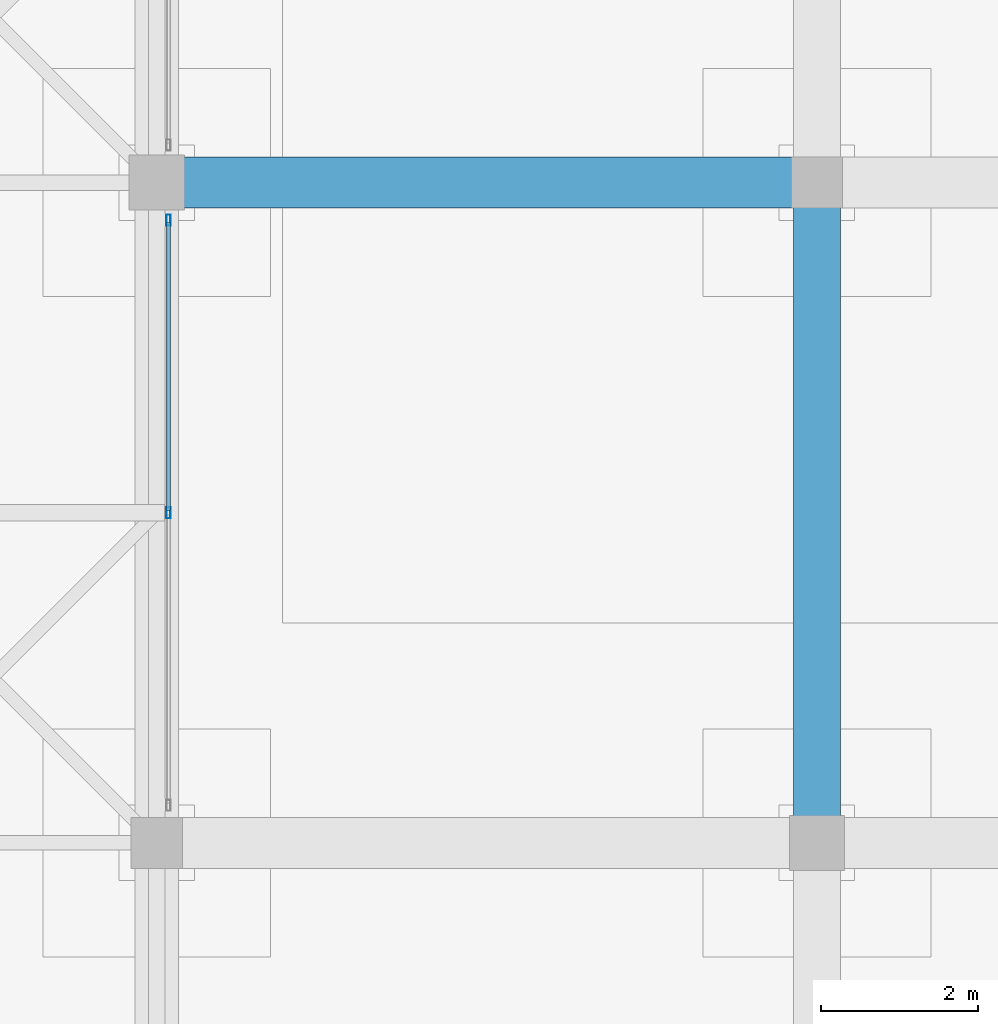
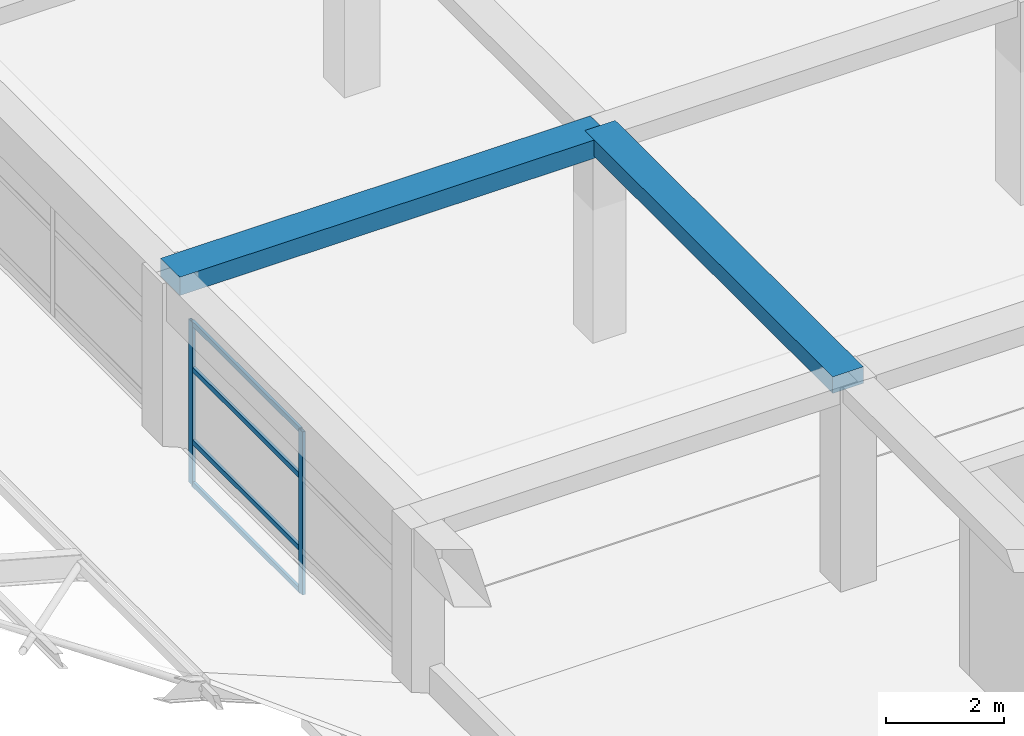
# One storey, part 31 of 85: 6 members, 2 beams, 1 element without a shape of its own.
"""IFC4 building model written with IfcOpenShell, lengths in metres."""

from ifc_helpers import new_model, si_unit, direction, frame, origin, origin_2d, place, context, subcontext, project, spatial, rectangle, hollow_rectangle, extrude, material, material_profile, profile_set, type_object, element, aggregate, save


model = new_model("IFC4")

# Units and contexts
model_context = context("Model", 3, precision=1e-05, world=origin(), true_north=direction((0.0, 1.0)))
body_context = subcontext(model_context, "Body", "Model", "MODEL_VIEW")
ifc_project = project(units=[si_unit("LENGTHUNIT", "METRE"), si_unit("AREAUNIT", "SQUARE_METRE"), si_unit("VOLUMEUNIT", "CUBIC_METRE"), si_unit("PLANEANGLEUNIT", "RADIAN"), si_unit("MASSUNIT", "GRAM", prefix="KILO")], contexts=[model_context])

# Site, building, storey
site_placement = place(None, origin())
site = spatial("IfcSite", under=ifc_project, at=site_placement, CompositionType="ELEMENT")
building_placement = place(site_placement, origin())
building = spatial("IfcBuilding", under=site, at=building_placement, Name="Almacenes y Pasaje Nevantli", CompositionType="ELEMENT")
storey_placement = place(building_placement, frame((0.0, 0.0, 22.199951171875)))
storey = spatial("IfcBuildingStorey", under=building, at=storey_placement, Name="L05", CompositionType="ELEMENT", Elevation=22.199951171875)

# Beams
ifc_material_1 = material(Name="Concrete C35/45", Category="concrete")
ifc_material_profile_1 = material_profile(ifc_material_1, rectangle(XDim=0.60009765625, YDim=0.340087890625, at=origin_2d()), Name="RC-BM-600x340")
ifc_profile_set_1 = profile_set([ifc_material_profile_1], Name="Concrete C35/45")
beam_type_1 = type_object("IfcBeamType", Name="BM-RC-600x340", PredefinedType="BEAM", material=ifc_profile_set_1)
beam_1_placement = place(storey_placement, frame((100.800048828125, 67.199951171875, 4.050048828125), z_axis=(0.0, 1.0, 0.0), x_axis=(-1.0, 0.0, 0.0)))
element("IfcBeam", 1, at=beam_1_placement, inside=storey, type_object=beam_type_1, Name="L05 North-South Reinforced Concrete Beam #3485", PredefinedType="BEAM", context=body_context, shape_type="SweptSolid", body=[
    extrude(rectangle(XDim=0.60009765625, YDim=0.340087890625, at=origin_2d()), origin(), (0.0, 0.0, 1.0), 8.400146484375),
])
ifc_material_2 = material(Name="Concrete C35/45", Category="concrete")
ifc_material_profile_2 = material_profile(ifc_material_2, rectangle(XDim=0.64990234375, YDim=0.3798828125, at=origin_2d()), Name="RC-BM-650x380")
ifc_profile_set_2 = profile_set([ifc_material_profile_2], Name="Concrete C35/45")
beam_type_2 = type_object("IfcBeamType", Name="BM-RC-650x380", PredefinedType="BEAM", material=ifc_profile_set_2)
beam_2_placement = place(storey_placement, frame((92.39990234375, 75.60009765625, 4.030029296875), z_axis=(1.0, 0.0, 0.0), x_axis=(0.0, 1.0, 0.0)))
element("IfcBeam", 2, at=beam_2_placement, inside=storey, type_object=beam_type_2, Name="L05 East-West Reinforced Concrete Beam #3328", PredefinedType="BEAM", context=body_context, shape_type="SweptSolid", body=[
    extrude(rectangle(XDim=0.64990234375, YDim=0.3798828125, at=origin_2d()), origin(), (0.0, 0.0, 1.0), 8.400146484375),
])

# Curtain wall, members
ifc_material_3 = material(Name="Thermally Broken Aluminium and Low-E Glass", Category="aluminium")
curtain_wall_type = type_object("IfcCurtainWallType", Name="CW-UNIT-PODIUM", PredefinedType="USERDEFINED", material=ifc_material_3)
curtain_wall_placement = place(storey_placement, origin())
curtain_wall = element("IfcCurtainWall", 3, at=curtain_wall_placement, inside=storey, type_object=curtain_wall_type, Name="L05 Sky-Lobby West Arcade View Curtain Wall Bay 9", ObjectType="UNITIZED CURTAIN WALL", PredefinedType="USERDEFINED")
ifc_material_4 = material(Name="Thermally Broken Anodized Aluminium", Category="aluminium")
ifc_material_profile_3 = material_profile(ifc_material_4, hollow_rectangle(XDim=0.054931640625, YDim=0.139892578125, WallThickness=0.00341796875, at=origin_2d()), Name="ALU-MUL-55x140")
ifc_profile_set_3 = profile_set([ifc_material_profile_3], Name="Thermally Broken Anodized Aluminium")
member_type_1 = type_object("IfcMemberType", Name="CW-MUL-160", PredefinedType="MULLION", material=ifc_profile_set_3)
member_1_placement = place(storey_placement, frame((92.550048828125, 71.39990234375, 0.0), z_axis=(0.0, 0.0, 1.0), x_axis=(-1.0, 0.0, 0.0)))
member_1 = element("IfcMember", 4, at=member_1_placement, type_object=member_type_1, Name="CW-L05-096 mullion 2", PredefinedType="MULLION", context=body_context, shape_type="SweptSolid", body=[
    extrude(hollow_rectangle(XDim=0.054931640625, YDim=0.139892578125, WallThickness=0.00341796875, at=origin_2d()), origin(), (0.0, 0.0, 1.0), 3.3701171875),
])
member_2_placement = place(storey_placement, frame((92.550048828125, 75.12255859375, 0.0), z_axis=(0.0, 0.0, 1.0), x_axis=(-1.0, 0.0, 0.0)))
member_2 = element("IfcMember", 5, at=member_2_placement, type_object=member_type_1, Name="CW-L05-096 mullion 3", PredefinedType="MULLION", context=body_context, shape_type="SweptSolid", body=[
    extrude(hollow_rectangle(XDim=0.054931640625, YDim=0.139892578125, WallThickness=0.00341796875, at=origin_2d()), origin(), (0.0, 0.0, 1.0), 3.3701171875),
])
ifc_material_5 = material(Name="Thermally Broken Anodized Aluminium", Category="aluminium")
ifc_material_profile_4 = material_profile(ifc_material_5, hollow_rectangle(XDim=0.054931640625, YDim=0.10498046875, WallThickness=0.003173828125, at=origin_2d()), Name="ALU-TRN-55x105")
ifc_profile_set_4 = profile_set([ifc_material_profile_4], Name="Thermally Broken Anodized Aluminium")
member_type_2 = type_object("IfcMemberType", Name="CW-TRN-120", PredefinedType="USERDEFINED", material=ifc_profile_set_4)
member_3_placement = place(storey_placement, frame((92.550048828125, 71.427490234375, 0.027587890625), z_axis=(0.0, 1.0, 0.0), x_axis=(-1.0, 0.0, 0.0)))
member_3 = element("IfcMember", 6, at=member_3_placement, type_object=member_type_2, Name="CW-L05-096 transom 2.1", ObjectType="TRANSOM", PredefinedType="USERDEFINED", context=body_context, shape_type="SweptSolid", body=[
    extrude(hollow_rectangle(XDim=0.054931640625, YDim=0.10498046875, WallThickness=0.003173828125, at=origin_2d()), origin(), (0.0, 0.0, 1.0), 3.66748046875),
])
member_4_placement = place(storey_placement, frame((92.550048828125, 71.427490234375, 0.900146484375), z_axis=(0.0, 1.0, 0.0), x_axis=(-1.0, 0.0, 0.0)))
member_4 = element("IfcMember", 7, at=member_4_placement, type_object=member_type_2, Name="CW-L05-096 transom 2.2", ObjectType="TRANSOM", PredefinedType="USERDEFINED", context=body_context, shape_type="SweptSolid", body=[
    extrude(hollow_rectangle(XDim=0.054931640625, YDim=0.10498046875, WallThickness=0.003173828125, at=origin_2d()), origin(), (0.0, 0.0, 1.0), 3.66748046875),
])
member_5_placement = place(storey_placement, frame((92.550048828125, 71.427490234375, 2.400146484375), z_axis=(0.0, 1.0, 0.0), x_axis=(-1.0, 0.0, 0.0)))
member_5 = element("IfcMember", 8, at=member_5_placement, type_object=member_type_2, Name="CW-L05-096 transom 2.3", ObjectType="TRANSOM", PredefinedType="USERDEFINED", context=body_context, shape_type="SweptSolid", body=[
    extrude(hollow_rectangle(XDim=0.054931640625, YDim=0.10498046875, WallThickness=0.003173828125, at=origin_2d()), origin(), (0.0, 0.0, 1.0), 3.66748046875),
])
member_6_placement = place(storey_placement, frame((92.550048828125, 71.427490234375, 3.342529296875), z_axis=(0.0, 1.0, 0.0), x_axis=(-1.0, 0.0, 0.0)))
member_6 = element("IfcMember", 9, at=member_6_placement, type_object=member_type_2, Name="CW-L05-096 transom 2.4", ObjectType="TRANSOM", PredefinedType="USERDEFINED", context=body_context, shape_type="SweptSolid", body=[
    extrude(hollow_rectangle(XDim=0.054931640625, YDim=0.10498046875, WallThickness=0.003173828125, at=origin_2d()), origin(), (0.0, 0.0, 1.0), 3.66748046875),
])
aggregate(curtain_wall, [member_1, member_2, member_3, member_4, member_5, member_6])

save(model, "model.ifc")
